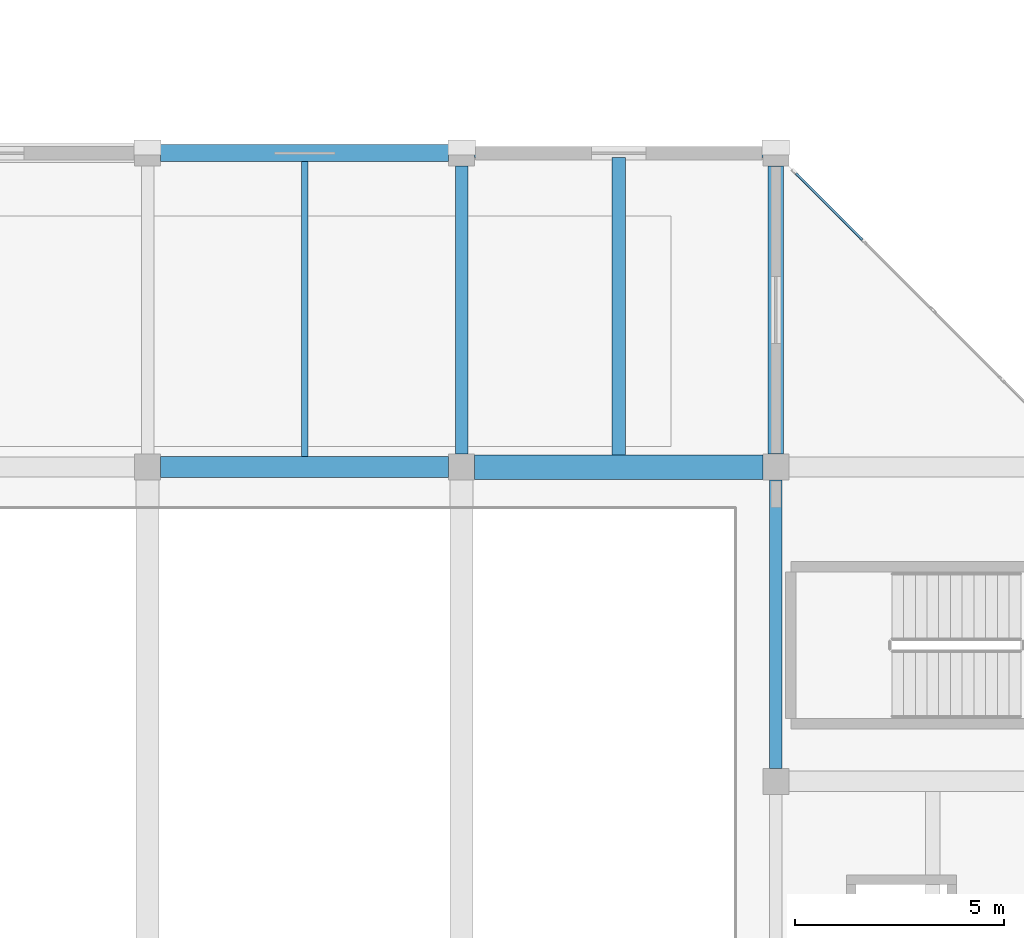
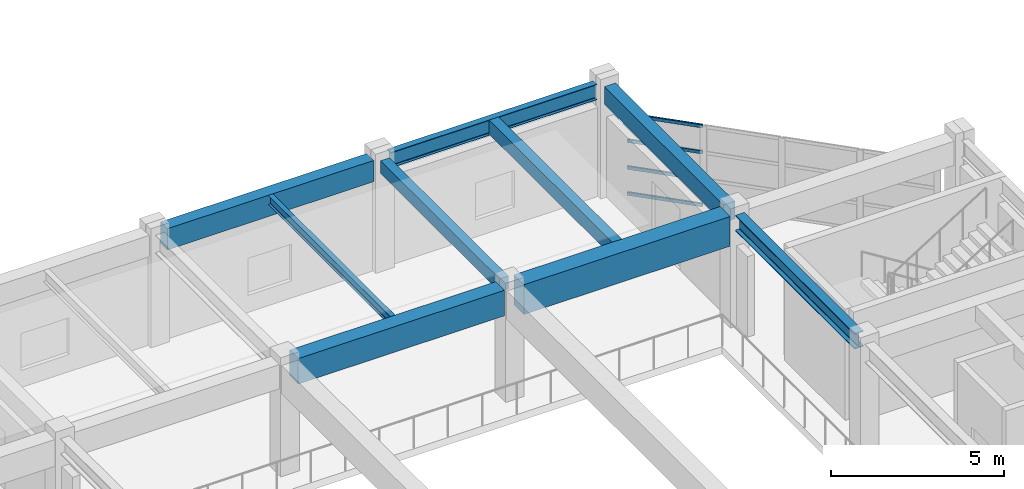
# One storey, part 69 of 132: 9 beams, 4 members, 1 element without a shape of its own.
"""IFC4 building model written with IfcOpenShell, lengths in metres."""

from ifc_helpers import new_model, si_unit, direction, frame, origin, origin_2d, place, context, subcontext, project, spatial, rectangle, hollow_rectangle, i_section, extrude, material, material_profile, profile_set, type_object, element, aggregate, save


model = new_model("IFC4")

# Units and contexts
model_context = context("Model", 3, precision=1e-05, world=origin(), true_north=direction((0.0, 1.0)))
body_context = subcontext(model_context, "Body", "Model", "MODEL_VIEW")
ifc_project = project(units=[si_unit("LENGTHUNIT", "METRE"), si_unit("AREAUNIT", "SQUARE_METRE"), si_unit("VOLUMEUNIT", "CUBIC_METRE"), si_unit("PLANEANGLEUNIT", "RADIAN"), si_unit("MASSUNIT", "GRAM", prefix="KILO")], contexts=[model_context])

# Site, building, storey
site_placement = place(None, origin())
site = spatial("IfcSite", under=ifc_project, at=site_placement, CompositionType="ELEMENT")
building_placement = place(site_placement, origin())
building = spatial("IfcBuilding", under=site, at=building_placement, Name="Qasida Concert Hall", CompositionType="ELEMENT")
storey_placement = place(building_placement, frame((0.0, 0.0, 4.800048828125)))
storey = spatial("IfcBuildingStorey", under=building, at=storey_placement, Name="L01", CompositionType="ELEMENT", Elevation=4.800048828125)

# Beams
ifc_material_1 = material(Name="Concrete C40/50", Category="concrete")
ifc_material_profile_1 = material_profile(ifc_material_1, rectangle(XDim=0.3798828125, YDim=0.6201171875, at=origin_2d()), Name="RC 380x620")
ifc_profile_set_1 = profile_set([ifc_material_profile_1], Name="Concrete C40/50")
beam_type_1 = type_object("IfcBeamType", Name="BM-B10", PredefinedType="BEAM", material=ifc_profile_set_1)
beam_1_placement = place(storey_placement, frame((157.5, 22.81005859375, 3.60986328125), z_axis=(0.0, 1.0, 0.0), x_axis=(-1.0, 0.0, 0.0)))
element("IfcBeam", 1, at=beam_1_placement, inside=storey, type_object=beam_type_1, Name="L01 girder 0885", PredefinedType="BEAM", context=body_context, shape_type="SweptSolid", body=[
    extrude(rectangle(XDim=0.3798828125, YDim=0.6201171875, at=origin_2d()), origin(), (0.0, 0.0, 1.0), 6.8798828125),
])
ifc_material_2 = material(Name="Steel S355J2", Category="steel")
ifc_material_profile_2 = material_profile(ifc_material_2, i_section(OverallWidth=0.300048828125, OverallDepth=0.550048828125, WebThickness=0.014892578125, FlangeThickness=0.029052734375, FilletRadius=0.027099609375, at=origin_2d()), Name="HEB 550")
ifc_profile_set_2 = profile_set([ifc_material_profile_2], Name="Steel S355J2")
beam_type_2 = type_object("IfcBeamType", Name="BM-B12", PredefinedType="BEAM", material=ifc_profile_set_2)
beam_2_placement = place(storey_placement, frame((157.5, 15.31005859375, 3.64501953125), z_axis=(0.0, 1.0, 0.0), x_axis=(-1.0, 0.0, 0.0)))
element("IfcBeam", 2, at=beam_2_placement, inside=storey, type_object=beam_type_2, Name="L01 girder 0884", PredefinedType="BEAM", context=body_context, shape_type="SweptSolid", body=[
    extrude(i_section(OverallWidth=0.300048828125, OverallDepth=0.550048828125, WebThickness=0.014892578125, FlangeThickness=0.029052734375, FilletRadius=0.027099609375, at=origin_2d()), origin(), (0.0, 0.0, 1.0), 6.8798828125),
])
ifc_material_profile_3 = material_profile(ifc_material_1, rectangle(XDim=0.300048828125, YDim=0.449951171875, at=origin_2d()), Name="RC 300x450")
ifc_profile_set_3 = profile_set([ifc_material_profile_3], Name="Concrete C40/50")
beam_type_3 = type_object("IfcBeamType", Name="BM-B3", PredefinedType="BEAM", material=ifc_profile_set_3)
beam_3_placement = place(storey_placement, frame((150.0, 22.81005859375, 3.695068359375), z_axis=(0.0, 1.0, 0.0), x_axis=(-1.0, 0.0, 0.0)))
element("IfcBeam", 3, at=beam_3_placement, inside=storey, type_object=beam_type_3, Name="L01 girder 0881", PredefinedType="BEAM", context=body_context, shape_type="SweptSolid", body=[
    extrude(rectangle(XDim=0.300048828125, YDim=0.449951171875, at=origin_2d()), origin(), (0.0, 0.0, 1.0), 6.8798828125),
])
ifc_material_profile_4 = material_profile(ifc_material_1, rectangle(XDim=0.5, YDim=0.89990234375, at=origin_2d()), Name="RC 500x900")
ifc_profile_set_4 = profile_set([ifc_material_profile_4], Name="Concrete C40/50")
beam_type_4 = type_object("IfcBeamType", Name="BM-G1", PredefinedType="USERDEFINED", material=ifc_profile_set_4)
beam_4_placement = place(storey_placement, frame((142.81005859375, 22.5, 3.469970703125), z_axis=(1.0, 0.0, 0.0), x_axis=(0.0, 1.0, 0.0)))
element("IfcBeam", 4, at=beam_4_placement, inside=storey, type_object=beam_type_4, Name="Primary girder 0864", ObjectType="GIRDER", PredefinedType="USERDEFINED", context=body_context, shape_type="SweptSolid", body=[
    extrude(rectangle(XDim=0.5, YDim=0.89990234375, at=origin_2d()), origin(), (0.0, 0.0, 1.0), 6.8798828125),
])
ifc_material_3 = material(Name="Concrete C50/60", Category="concrete")
ifc_material_profile_5 = material_profile(ifc_material_3, rectangle(XDim=0.580078125, YDim=1.050048828125, at=origin_2d()), Name="RC 580x1050")
ifc_profile_set_5 = profile_set([ifc_material_profile_5], Name="Concrete C50/60")
beam_type_5 = type_object("IfcBeamType", Name="BM-G8", PredefinedType="USERDEFINED", material=ifc_profile_set_5)
beam_5_placement = place(storey_placement, frame((150.31005859375, 22.5, 3.39501953125), z_axis=(1.0, 0.0, 0.0), x_axis=(0.0, 1.0, 0.0)))
element("IfcBeam", 5, at=beam_5_placement, inside=storey, type_object=beam_type_5, Name="Primary girder 0865", ObjectType="GIRDER", PredefinedType="USERDEFINED", context=body_context, shape_type="SweptSolid", body=[
    extrude(rectangle(XDim=0.580078125, YDim=1.050048828125, at=origin_2d()), origin(), (0.0, 0.0, 1.0), 6.8798828125),
])
ifc_material_profile_6 = material_profile(ifc_material_2, i_section(OverallWidth=0.159912109375, OverallDepth=0.330078125, WebThickness=0.007568359375, FlangeThickness=0.011474609375, FilletRadius=0.01806640625, at=origin_2d()), Name="IPE 330")
ifc_profile_set_6 = profile_set([ifc_material_profile_6], Name="Steel S355J2")
beam_type_6 = type_object("IfcBeamType", Name="BM-J5", PredefinedType="JOIST", material=ifc_profile_set_6)
beam_6_placement = place(storey_placement, frame((146.25, 22.75, 3.7548828125), z_axis=(0.0, 1.0, 0.0), x_axis=(-1.0, 0.0, 0.0)))
element("IfcBeam", 6, at=beam_6_placement, inside=storey, type_object=beam_type_6, Name="L01 secondary joist 0892", PredefinedType="JOIST", context=body_context, shape_type="SweptSolid", body=[
    extrude(i_section(OverallWidth=0.159912109375, OverallDepth=0.330078125, WebThickness=0.007568359375, FlangeThickness=0.011474609375, FilletRadius=0.01806640625, at=origin_2d()), origin(), (0.0, 0.0, 1.0), 7.050048828125),
])
ifc_material_profile_7 = material_profile(ifc_material_1, rectangle(XDim=0.320068359375, YDim=0.5, at=origin_2d()), Name="RC 320x500")
ifc_profile_set_7 = profile_set([ifc_material_profile_7], Name="Concrete C40/50")
beam_type_7 = type_object("IfcBeamType", Name="BM-J7", PredefinedType="JOIST", material=ifc_profile_set_7)
beam_7_placement = place(storey_placement, frame((153.75, 22.7900390625, 3.669921875), z_axis=(0.0, 1.0, 0.0), x_axis=(-1.0, 0.0, 0.0)))
element("IfcBeam", 7, at=beam_7_placement, inside=storey, type_object=beam_type_7, Name="L01 secondary joist 0894", PredefinedType="JOIST", context=body_context, shape_type="SweptSolid", body=[
    extrude(rectangle(XDim=0.320068359375, YDim=0.5, at=origin_2d()), origin(), (0.0, 0.0, 1.0), 7.10498046875),
])
ifc_material_profile_8 = material_profile(ifc_material_1, rectangle(XDim=0.39990234375, YDim=0.75, at=origin_2d()), Name="RC 400x750")
ifc_profile_set_8 = profile_set([ifc_material_profile_8], Name="Concrete C40/50")
beam_type_8 = type_object("IfcBeamType", Name="BM-SP1", PredefinedType="SPANDREL", material=ifc_profile_set_8)
beam_8_placement = place(storey_placement, frame((142.81005859375, 30.0, 3.544921875), z_axis=(1.0, 0.0, 0.0), x_axis=(0.0, 1.0, 0.0)))
element("IfcBeam", 8, at=beam_8_placement, inside=storey, type_object=beam_type_8, Name="Primary girder 0868", PredefinedType="SPANDREL", context=body_context, shape_type="SweptSolid", body=[
    extrude(rectangle(XDim=0.39990234375, YDim=0.75, at=origin_2d()), origin(), (0.0, 0.0, 1.0), 6.8798828125),
])
ifc_material_profile_9 = material_profile(ifc_material_2, i_section(OverallWidth=0.2099609375, OverallDepth=0.550048828125, WebThickness=0.010986328125, FlangeThickness=0.01708984375, FilletRadius=0.02392578125, at=origin_2d()), Name="IPE 550")
ifc_profile_set_9 = profile_set([ifc_material_profile_9], Name="Steel S355J2")
beam_type_9 = type_object("IfcBeamType", Name="BM-SP2", PredefinedType="SPANDREL", material=ifc_profile_set_9)
beam_9_placement = place(storey_placement, frame((150.31005859375, 30.0, 3.64501953125), z_axis=(1.0, 0.0, 0.0), x_axis=(0.0, 1.0, 0.0)))
element("IfcBeam", 9, at=beam_9_placement, inside=storey, type_object=beam_type_9, Name="Primary girder 0869", PredefinedType="SPANDREL", context=body_context, shape_type="SweptSolid", body=[
    extrude(i_section(OverallWidth=0.2099609375, OverallDepth=0.550048828125, WebThickness=0.010986328125, FlangeThickness=0.01708984375, FilletRadius=0.02392578125, at=origin_2d()), origin(), (0.0, 0.0, 1.0), 6.8798828125),
])

# Curtain wall, members
ifc_material_4 = material(Name="Architectural bronze-anodized aluminium and low-E glass", Category="aluminium")
curtain_wall_type = type_object("IfcCurtainWallType", Name="CW-07", PredefinedType="NOTDEFINED", material=ifc_material_4)
curtain_wall_placement = place(storey_placement, origin())
curtain_wall = element("IfcCurtainWall", 10, at=curtain_wall_placement, inside=storey, type_object=curtain_wall_type, Name="L01 curtain wall CW-07 0144", PredefinedType="NOTDEFINED")
ifc_material_5 = material(Name="Architectural bronze-anodized aluminium EN AW-6063", Category="aluminium")
ifc_material_profile_10 = material_profile(ifc_material_5, hollow_rectangle(XDim=0.06005859375, YDim=0.1201171875, WallThickness=0.00390625, InnerFilletRadius=0.00390625, OuterFilletRadius=0.008056640625, at=origin_2d()), Name="CWT 120x60x4")
ifc_profile_set_10 = profile_set([ifc_material_profile_10], Name="Architectural bronze-anodized aluminium EN AW-6063")
member_type = type_object("IfcMemberType", Name="MB-CWT-2", PredefinedType="USERDEFINED", material=ifc_profile_set_10)
member_1_placement = place(storey_placement, frame((159.5712890625, 27.9287109375, 0.030029296875), z_axis=(-0.707106781187, 0.707106781187, 0.0), x_axis=(-0.707106781187, -0.707106781187, 0.0)))
member_1 = element("IfcMember", 11, at=member_1_placement, type_object=member_type, Name="CW-07 transom 4.1", ObjectType="TRANSOM", PredefinedType="USERDEFINED", context=body_context, shape_type="SweptSolid", body=[
    extrude(hollow_rectangle(XDim=0.06005859375, YDim=0.1201171875, WallThickness=0.00390625, InnerFilletRadius=0.00390625, OuterFilletRadius=0.008056640625, at=origin_2d()), origin(), (0.0, 0.0, 1.0), 2.244140625),
])
member_2_placement = place(storey_placement, frame((159.5712890625, 27.9287109375, 0.946533203125), z_axis=(-0.707106781187, 0.707106781187, 0.0), x_axis=(-0.707106781187, -0.707106781187, 0.0)))
member_2 = element("IfcMember", 12, at=member_2_placement, type_object=member_type, Name="CW-07 transom 4.2", ObjectType="TRANSOM", PredefinedType="USERDEFINED", context=body_context, shape_type="SweptSolid", body=[
    extrude(hollow_rectangle(XDim=0.06005859375, YDim=0.1201171875, WallThickness=0.00390625, InnerFilletRadius=0.00390625, OuterFilletRadius=0.008056640625, at=origin_2d()), origin(), (0.0, 0.0, 1.0), 2.244140625),
])
member_3_placement = place(storey_placement, frame((159.5712890625, 27.9287109375, 1.893310546875), z_axis=(-0.707106781187, 0.707106781187, 0.0), x_axis=(-0.707106781187, -0.707106781187, 0.0)))
member_3 = element("IfcMember", 13, at=member_3_placement, type_object=member_type, Name="CW-07 transom 4.3", ObjectType="TRANSOM", PredefinedType="USERDEFINED", context=body_context, shape_type="SweptSolid", body=[
    extrude(hollow_rectangle(XDim=0.06005859375, YDim=0.1201171875, WallThickness=0.00390625, InnerFilletRadius=0.00390625, OuterFilletRadius=0.008056640625, at=origin_2d()), origin(), (0.0, 0.0, 1.0), 2.244140625),
])
member_4_placement = place(storey_placement, frame((159.5712890625, 27.9287109375, 2.81005859375), z_axis=(-0.707106781187, 0.707106781187, 0.0), x_axis=(-0.707106781187, -0.707106781187, 0.0)))
member_4 = element("IfcMember", 14, at=member_4_placement, type_object=member_type, Name="CW-07 transom 4.4", ObjectType="TRANSOM", PredefinedType="USERDEFINED", context=body_context, shape_type="SweptSolid", body=[
    extrude(hollow_rectangle(XDim=0.06005859375, YDim=0.1201171875, WallThickness=0.00390625, InnerFilletRadius=0.00390625, OuterFilletRadius=0.008056640625, at=origin_2d()), origin(), (0.0, 0.0, 1.0), 2.244140625),
])
aggregate(curtain_wall, [member_1, member_2, member_3, member_4])

save(model, "model.ifc")
